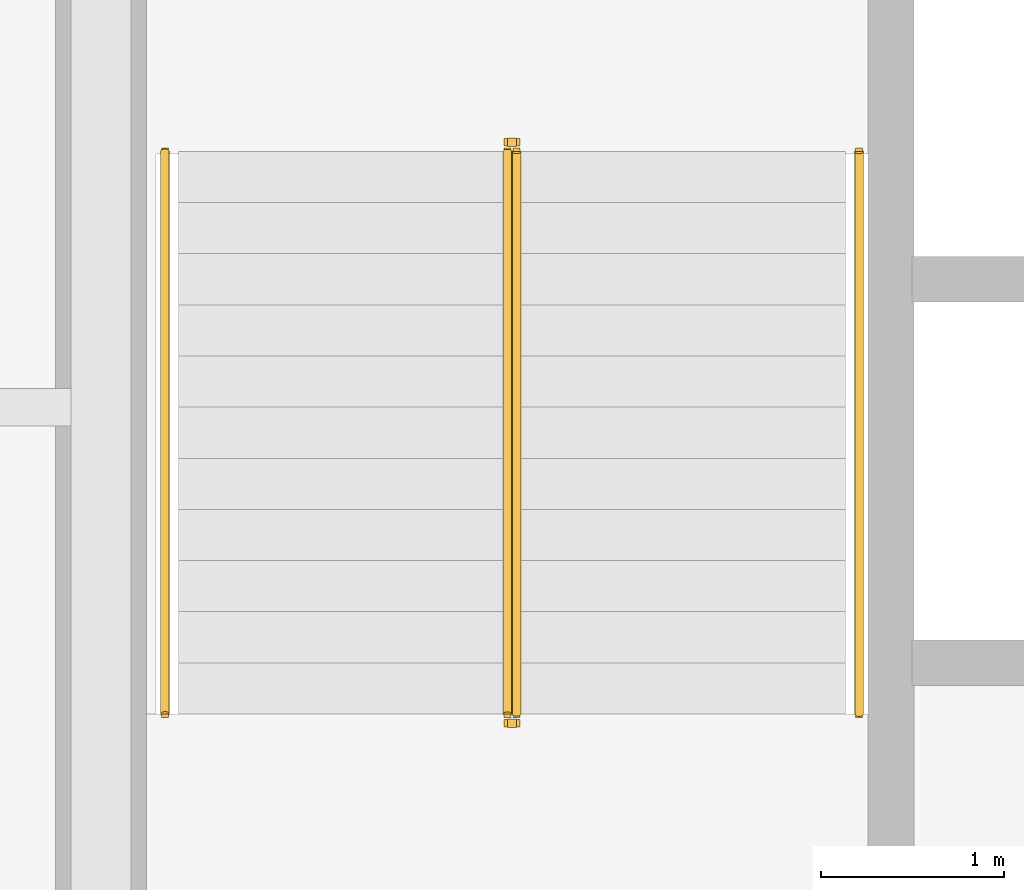
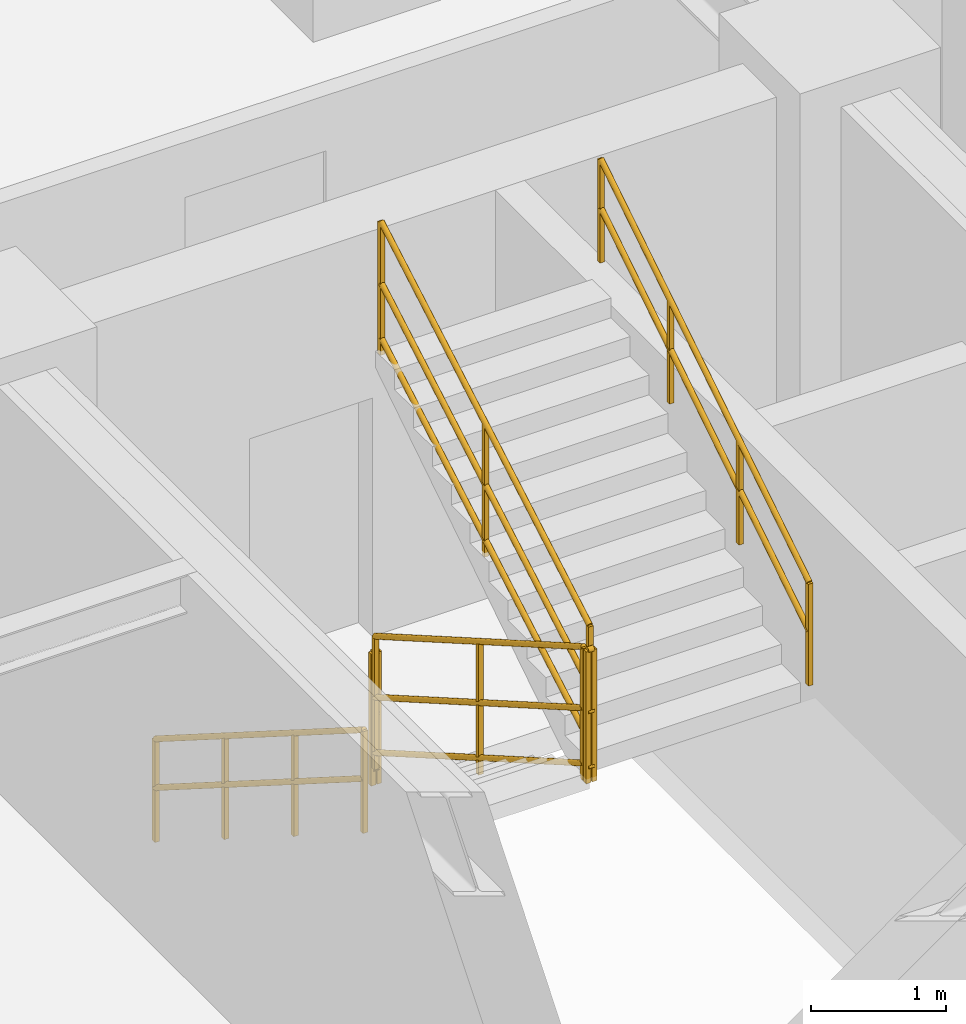
# One storey, part 8 of 8: 6 railings.
"""IFC4 building model written with IfcOpenShell, lengths in metres."""

from ifc_helpers import new_model, entity, si_unit, converted_unit, direction, frame, origin_with_axes, origin_2d_with_axis, place, context, subcontext, project, spatial, rectangle, circle, extrude, material, type_object, element, save


model = new_model("IFC4")

# Units and contexts
model_context = context("Model", 3, precision=1e-05, world=origin_with_axes(), true_north=direction((0.0, 1.0)))
body_context = subcontext(model_context, "Body", "Model", "MODEL_VIEW")
ifc_project = project(units=[si_unit("LENGTHUNIT", "METRE"), si_unit("AREAUNIT", "SQUARE_METRE"), si_unit("VOLUMEUNIT", "CUBIC_METRE"), converted_unit("PLANEANGLEUNIT", "DEGREE", entity("IfcPlaneAngleMeasure", 0.017453292519943295), si_unit("PLANEANGLEUNIT", "RADIAN"), dimensions=[0, 0, 0, 0, 0, 0, 0]), si_unit("MASSUNIT", "GRAM", prefix="KILO"), si_unit("THERMODYNAMICTEMPERATUREUNIT", "KELVIN")], contexts=[model_context])

# Site, building, storey
site_placement = place(None, origin_with_axes())
site = spatial("IfcSite", under=ifc_project, at=site_placement, CompositionType="ELEMENT")
building_placement = place(site_placement, origin_with_axes())
building = spatial("IfcBuilding", under=site, at=building_placement, Name="Varnlund Millrace Tower", CompositionType="ELEMENT")
storey_placement = place(building_placement, frame((0.0, 0.0, 100.8), z_axis=(0.0, 0.0, 1.0), x_axis=(1.0, 0.0, 0.0)))
storey = spatial("IfcBuildingStorey", under=building, at=storey_placement, Name="L24", CompositionType="ELEMENT", Elevation=100.8)

# Railings
ifc_material_1 = material(Name="Painted steel stair well balustrade guard", Category="steel")
railing_type_1 = type_object("IfcRailingType", Name="Type-StairGuard-1150", PredefinedType="GUARDRAIL", material=ifc_material_1)
railing_1_placement = place(storey_placement, frame((0.0, 0.0, -100.8), z_axis=(0.0, 0.0, 1.0), x_axis=(1.0, 0.0, 0.0)))
element("IfcRailing", 1, at=railing_1_placement, inside=storey, type_object=railing_type_1, Name="Type-StairGuard-1150", PredefinedType="GUARDRAIL", context=body_context, shape_type="SweptSolid", body=[
    extrude(circle(Radius=0.024, at=origin_2d_with_axis()), frame((13.625, 35.9, 102.127273), z_axis=(0.0, -0.866696, 0.498836), x_axis=(1.0, 0.0, 0.0)), (0.0, 0.0, 1.0), 3.553725),
    extrude(circle(Radius=0.024, at=origin_2d_with_axis()), frame((13.625, 35.9, 101.077273), z_axis=(0.0, -0.866696, 0.498836), x_axis=(1.0, 0.0, 0.0)), (0.0, 0.0, 1.0), 3.553725),
    extrude(circle(Radius=0.024, at=origin_2d_with_axis()), frame((13.625, 35.9, 101.575273), z_axis=(0.0, -0.866696, 0.498836), x_axis=(1.0, 0.0, 0.0)), (0.0, 0.0, 1.0), 3.553725),
    extrude(rectangle(XDim=0.04, YDim=0.04, at=origin_2d_with_axis()), frame((13.625, 35.9, 100.937273), z_axis=(0.0, 0.0, 1.0), x_axis=(1.0, 0.0, 0.0)), (0.0, 0.0, 1.0), 1.19),
    extrude(rectangle(XDim=0.04, YDim=0.04, at=origin_2d_with_axis()), frame((13.625, 34.36, 101.823636), z_axis=(0.0, 0.0, 1.0), x_axis=(1.0, 0.0, 0.0)), (0.0, 0.0, 1.0), 1.19),
    extrude(rectangle(XDim=0.04, YDim=0.04, at=origin_2d_with_axis()), frame((13.625, 32.82, 102.71), z_axis=(0.0, 0.0, 1.0), x_axis=(1.0, 0.0, 0.0)), (0.0, 0.0, 1.0), 1.19),
])
railing_2_placement = place(storey_placement, frame((0.0, 0.0, -100.8), z_axis=(0.0, 0.0, 1.0), x_axis=(1.0, 0.0, 0.0)))
element("IfcRailing", 2, at=railing_2_placement, inside=storey, type_object=railing_type_1, Name="Type-StairGuard-1150", PredefinedType="GUARDRAIL", context=body_context, shape_type="SweptSolid", body=[
    extrude(circle(Radius=0.024, at=origin_2d_with_axis()), frame((13.675, 32.77, 103.9), z_axis=(-1.0, 0.0, 0.0), x_axis=(0.0, -1.0, 0.0)), (0.0, 0.0, 1.0), 0.05),
    extrude(circle(Radius=0.024, at=origin_2d_with_axis()), frame((13.675, 32.77, 102.85), z_axis=(-1.0, 0.0, 0.0), x_axis=(0.0, -1.0, 0.0)), (0.0, 0.0, 1.0), 0.05),
    extrude(circle(Radius=0.024, at=origin_2d_with_axis()), frame((13.675, 32.77, 103.348), z_axis=(-1.0, 0.0, 0.0), x_axis=(0.0, -1.0, 0.0)), (0.0, 0.0, 1.0), 0.05),
    extrude(rectangle(XDim=0.04, YDim=0.04, at=origin_2d_with_axis()), frame((13.675, 32.77, 102.71), z_axis=(0.0, 0.0, 1.0), x_axis=(1.0, 0.0, 0.0)), (0.0, 0.0, 1.0), 1.19),
    extrude(rectangle(XDim=0.04, YDim=0.04, at=origin_2d_with_axis()), frame((13.625, 32.77, 102.71), z_axis=(0.0, 0.0, 1.0), x_axis=(1.0, 0.0, 0.0)), (0.0, 0.0, 1.0), 1.19),
])
railing_3_placement = place(storey_placement, frame((0.0, 0.0, -100.8), z_axis=(0.0, 0.0, 1.0), x_axis=(1.0, 0.0, 0.0)))
element("IfcRailing", 3, at=railing_3_placement, inside=storey, type_object=railing_type_1, Name="Type-StairGuard-1150", PredefinedType="GUARDRAIL", context=body_context, shape_type="SweptSolid", body=[
    extrude(circle(Radius=0.024, at=origin_2d_with_axis()), frame((13.675, 32.82, 104.077273), z_axis=(0.0, 0.866696, 0.498836), x_axis=(-1.0, 0.0, 0.0)), (0.0, 0.0, 1.0), 3.553725),
    extrude(circle(Radius=0.024, at=origin_2d_with_axis()), frame((13.675, 32.82, 103.027273), z_axis=(0.0, 0.866696, 0.498836), x_axis=(-1.0, 0.0, 0.0)), (0.0, 0.0, 1.0), 3.553725),
    extrude(circle(Radius=0.024, at=origin_2d_with_axis()), frame((13.675, 32.82, 103.525273), z_axis=(0.0, 0.866696, 0.498836), x_axis=(-1.0, 0.0, 0.0)), (0.0, 0.0, 1.0), 3.553725),
    extrude(rectangle(XDim=0.04, YDim=0.04, at=origin_2d_with_axis()), frame((13.675, 32.82, 102.887273), z_axis=(0.0, 0.0, 1.0), x_axis=(1.0, 0.0, 0.0)), (0.0, 0.0, 1.0), 1.19),
    extrude(rectangle(XDim=0.04, YDim=0.04, at=origin_2d_with_axis()), frame((13.675, 34.36, 103.773636), z_axis=(0.0, 0.0, 1.0), x_axis=(1.0, 0.0, 0.0)), (0.0, 0.0, 1.0), 1.19),
    extrude(rectangle(XDim=0.04, YDim=0.04, at=origin_2d_with_axis()), frame((13.675, 35.9, 104.66), z_axis=(0.0, 0.0, 1.0), x_axis=(1.0, 0.0, 0.0)), (0.0, 0.0, 1.0), 1.19),
])
railing_4_placement = place(storey_placement, frame((0.0, 0.0, -100.8), z_axis=(0.0, 0.0, 1.0), x_axis=(1.0, 0.0, 0.0)))
element("IfcRailing", 4, at=railing_4_placement, inside=storey, type_object=railing_type_1, Name="Type-StairGuard-1150", PredefinedType="GUARDRAIL", context=body_context, shape_type="SweptSolid", body=[
    extrude(circle(Radius=0.024, at=origin_2d_with_axis()), frame((13.675, 35.95, 101.95), z_axis=(-1.0, 0.0, 0.0), x_axis=(0.0, -1.0, 0.0)), (0.0, 0.0, 1.0), 0.05),
    extrude(circle(Radius=0.024, at=origin_2d_with_axis()), frame((13.675, 35.95, 100.9), z_axis=(-1.0, 0.0, 0.0), x_axis=(0.0, -1.0, 0.0)), (0.0, 0.0, 1.0), 0.05),
    extrude(circle(Radius=0.024, at=origin_2d_with_axis()), frame((13.675, 35.95, 101.398), z_axis=(-1.0, 0.0, 0.0), x_axis=(0.0, -1.0, 0.0)), (0.0, 0.0, 1.0), 0.05),
    extrude(rectangle(XDim=0.04, YDim=0.04, at=origin_2d_with_axis()), frame((13.675, 35.95, 100.76), z_axis=(0.0, 0.0, 1.0), x_axis=(1.0, 0.0, 0.0)), (0.0, 0.0, 1.0), 1.19),
    extrude(rectangle(XDim=0.04, YDim=0.04, at=origin_2d_with_axis()), frame((13.625, 35.95, 100.76), z_axis=(0.0, 0.0, 1.0), x_axis=(1.0, 0.0, 0.0)), (0.0, 0.0, 1.0), 1.19),
])
ifc_material_2 = material(Name="Brushed architectural bronze stair handrail", Category="aluminium")
railing_type_2 = type_object("IfcRailingType", Name="Type-StairHandrail-900", PredefinedType="HANDRAIL", material=ifc_material_2)
railing_5_placement = place(storey_placement, frame((0.0, 0.0, -100.8), z_axis=(0.0, 0.0, 1.0), x_axis=(1.0, 0.0, 0.0)))
element("IfcRailing", 5, at=railing_5_placement, inside=storey, type_object=railing_type_2, Name="Type-StairHandrail-900", PredefinedType="HANDRAIL", context=body_context, shape_type="SweptSolid", body=[
    extrude(circle(Radius=0.024, at=origin_2d_with_axis()), frame((11.75, 35.9, 101.856995), z_axis=(0.0, -0.844902, 0.534922), x_axis=(1.0, 0.0, 0.0)), (0.0, 0.0, 1.0), 3.645394),
    extrude(circle(Radius=0.024, at=origin_2d_with_axis()), frame((11.75, 35.9, 101.417134), z_axis=(0.0, -0.844902, 0.534922), x_axis=(1.0, 0.0, 0.0)), (0.0, 0.0, 1.0), 3.645394),
    extrude(rectangle(XDim=0.04, YDim=0.04, at=origin_2d_with_axis()), frame((11.75, 35.9, 100.937273), z_axis=(0.0, 0.0, 1.0), x_axis=(1.0, 0.0, 0.0)), (0.0, 0.0, 1.0), 0.919722),
    extrude(rectangle(XDim=0.04, YDim=0.04, at=origin_2d_with_axis()), frame((11.75, 34.873333, 101.587273), z_axis=(0.0, 0.0, 1.0), x_axis=(1.0, 0.0, 0.0)), (0.0, 0.0, 1.0), 0.919722),
    extrude(rectangle(XDim=0.04, YDim=0.04, at=origin_2d_with_axis()), frame((11.75, 33.846667, 102.237273), z_axis=(0.0, 0.0, 1.0), x_axis=(1.0, 0.0, 0.0)), (0.0, 0.0, 1.0), 0.919722),
    extrude(rectangle(XDim=0.04, YDim=0.04, at=origin_2d_with_axis()), frame((11.75, 32.82, 102.887273), z_axis=(0.0, 0.0, 1.0), x_axis=(1.0, 0.0, 0.0)), (0.0, 0.0, 1.0), 0.919722),
])
railing_6_placement = place(storey_placement, frame((0.0, 0.0, -100.8), z_axis=(0.0, 0.0, 1.0), x_axis=(1.0, 0.0, 0.0)))
element("IfcRailing", 6, at=railing_6_placement, inside=storey, type_object=railing_type_2, Name="Type-StairHandrail-900", PredefinedType="HANDRAIL", context=body_context, shape_type="SweptSolid", body=[
    extrude(circle(Radius=0.024, at=origin_2d_with_axis()), frame((15.55, 32.82, 103.806995), z_axis=(0.0, 0.844902, 0.534922), x_axis=(-1.0, 0.0, 0.0)), (0.0, 0.0, 1.0), 3.645394),
    extrude(circle(Radius=0.024, at=origin_2d_with_axis()), frame((15.55, 32.82, 103.367134), z_axis=(0.0, 0.844902, 0.534922), x_axis=(-1.0, 0.0, 0.0)), (0.0, 0.0, 1.0), 3.645394),
    extrude(rectangle(XDim=0.04, YDim=0.04, at=origin_2d_with_axis()), frame((15.55, 32.82, 102.887273), z_axis=(0.0, 0.0, 1.0), x_axis=(1.0, 0.0, 0.0)), (0.0, 0.0, 1.0), 0.919722),
    extrude(rectangle(XDim=0.04, YDim=0.04, at=origin_2d_with_axis()), frame((15.55, 33.846667, 103.537273), z_axis=(0.0, 0.0, 1.0), x_axis=(1.0, 0.0, 0.0)), (0.0, 0.0, 1.0), 0.919722),
    extrude(rectangle(XDim=0.04, YDim=0.04, at=origin_2d_with_axis()), frame((15.55, 34.873333, 104.187273), z_axis=(0.0, 0.0, 1.0), x_axis=(1.0, 0.0, 0.0)), (0.0, 0.0, 1.0), 0.919722),
    extrude(rectangle(XDim=0.04, YDim=0.04, at=origin_2d_with_axis()), frame((15.55, 35.9, 104.837273), z_axis=(0.0, 0.0, 1.0), x_axis=(1.0, 0.0, 0.0)), (0.0, 0.0, 1.0), 0.919722),
])

save(model, "model.ifc")
